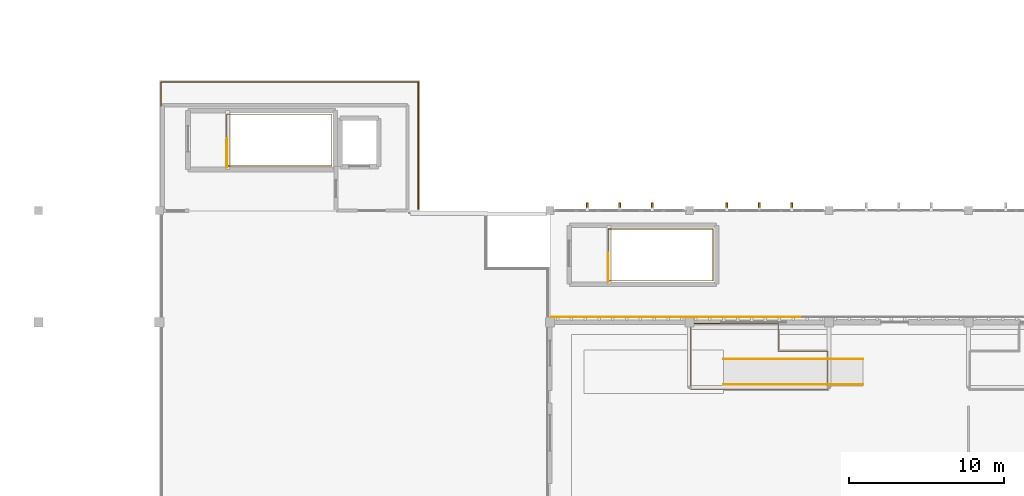
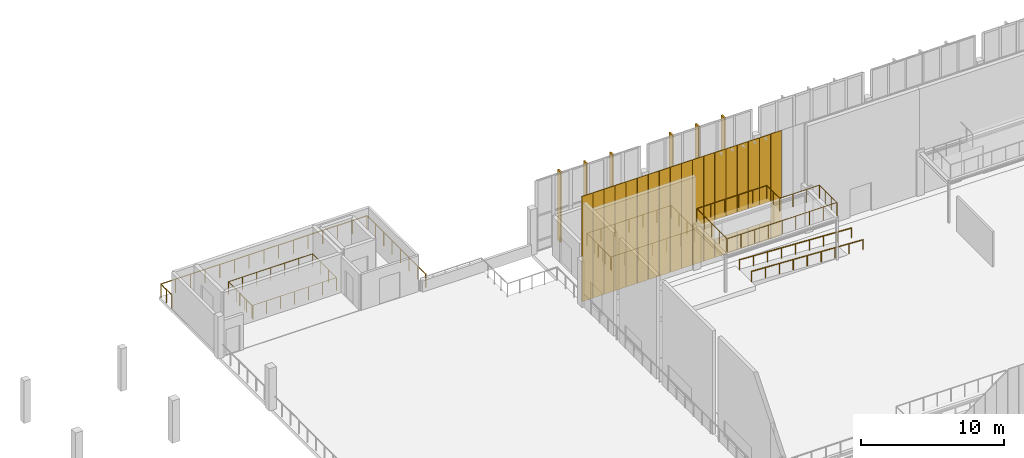
# One storey, part 64 of 67: 29 coverings, 8 railings.
"""IFC4 building model written with IfcOpenShell, lengths in metres."""

import ifcopenshell
import ifcopenshell.guid

model = None  # the IFC model being written
_history = None  # IfcOwnerHistory: only IFC2X3 demands one
_inside = {}  # id of a spatial element -> (the spatial element, [elements in it])
_under = {}  # id of a project, library or spatial element -> (it, [spatial elements below it])
_declared = {}  # id of a project -> (the project, [libraries it declares])
_typed = {}  # id of a type object -> (the type object, [elements of that type])
_made_of = {}  # id of a material, layer set ... -> (it, [elements and type objects made of it])


def new_model(schema):
    """Start an empty IFC model of exactly this schema.

    Asked for "IFC4X3", IfcOpenShell would pick the latest addendum, in which some entities
    have other attributes; the version numbers below select the first issue.
    IFC2X3 requires an IfcOwnerHistory on every rooted entity: one is made here for all.
    """
    global model, _history
    if schema == "IFC4X3":
        model = ifcopenshell.file(schema_version=(4, 3, 0, 0))
    else:
        model = ifcopenshell.file(schema=schema)
    _inside.clear()
    _under.clear()
    _declared.clear()
    _typed.clear()
    _made_of.clear()
    _history = None
    if model.schema == "IFC2X3":
        org = make("IfcOrganization", Name="unknown")
        user = make(
            "IfcPersonAndOrganization",
            ThePerson=make("IfcPerson", FamilyName="unknown"),
            TheOrganization=org,
        )
        app = make(
            "IfcApplication",
            ApplicationDeveloper=org,
            Version="unknown",
            ApplicationFullName="unknown",
            ApplicationIdentifier="unknown",
        )
        _history = make(
            "IfcOwnerHistory",
            OwningUser=user,
            OwningApplication=app,
            ChangeAction="ADDED",
            CreationDate=0,
        )
    return model


def make(cls, **values):
    """One entity of the class cls with the attributes given. An attribute that is None is left unset."""
    return model.create_entity(
        cls, **{name: value for name, value in values.items() if value is not None}
    )


def rooted(cls, **values):
    """An entity with a GlobalId (a new one), such as an element, a storey or a relation."""
    return make(cls, GlobalId=ifcopenshell.guid.new(), OwnerHistory=_history, **values)


def si_unit(unit_type, name, prefix=None):
    """IfcSIUnit, for example si_unit("LENGTHUNIT", "METRE", prefix="MILLI")."""
    return make("IfcSIUnit", UnitType=unit_type, Prefix=prefix, Name=name)


def assignment(units):
    """IfcUnitAssignment: the units of a project."""
    return None if units is None else make("IfcUnitAssignment", Units=units)


def point(xyz):
    """IfcCartesianPoint."""
    return None if xyz is None else make("IfcCartesianPoint", Coordinates=xyz)


def direction(xyz):
    """IfcDirection."""
    return None if xyz is None else make("IfcDirection", DirectionRatios=xyz)


def frame(location, z_axis=None, x_axis=None):
    """IfcAxis2Placement3D, a coordinate frame: its origin and axes. An axis left out is left unset."""
    return make(
        "IfcAxis2Placement3D",
        Location=point(location),
        Axis=direction(z_axis),
        RefDirection=direction(x_axis),
    )


def frame_2d(location, x_axis=None):
    """IfcAxis2Placement2D, a coordinate frame in the plane: its origin and x axis."""
    return make(
        "IfcAxis2Placement2D", Location=point(location), RefDirection=direction(x_axis)
    )


def origin():
    """The frame at (0, 0, 0) with its axes left unset."""
    return frame((0.0, 0.0, 0.0))


def origin_2d():
    """The frame at (0, 0) in the plane with its x axis left unset."""
    return frame_2d((0.0, 0.0))


def place(relative_to, where):
    """IfcLocalPlacement: puts the frame where relative to a parent placement (None: the world)."""
    return make(
        "IfcLocalPlacement", PlacementRelTo=relative_to, RelativePlacement=where
    )


def context(
    kind, dimensions, precision=None, world=None, true_north=None, identifier=None
):
    """IfcGeometricRepresentationContext, for example the 3D "Model" context."""
    return make(
        "IfcGeometricRepresentationContext",
        ContextIdentifier=identifier,
        ContextType=kind,
        CoordinateSpaceDimension=dimensions,
        Precision=precision,
        WorldCoordinateSystem=world,
        TrueNorth=true_north,
    )


def subcontext(parent, identifier, kind, view, scale=None):
    """IfcGeometricRepresentationSubContext, for example "Body" below "Model"."""
    return make(
        "IfcGeometricRepresentationSubContext",
        ContextIdentifier=identifier,
        ContextType=kind,
        ParentContext=parent,
        TargetScale=scale,
        TargetView=view,
    )


def project(units=None, contexts=None):
    """IfcProject with its units and contexts."""
    return rooted(
        "IfcProject",
        Name="project",
        RepresentationContexts=contexts,
        UnitsInContext=assignment(units),
    )


def spatial(cls, under=None, at=None, **own):
    """A site, building, storey or space (cls), placed at a placement, below another one or the project."""
    s = rooted(cls, ObjectPlacement=at, **own)
    if under is not None:
        _under.setdefault(under.id(), (under, []))[1].append(s)
    return s


def profile(cls, at=None, kind="AREA", **sizes):
    """A parametric profile (cls). Its sizes go by their IFC names, for example OverallWidth=200.0."""
    return make(cls, ProfileType=kind, Position=at, **sizes)


def rectangle(**sizes):
    """IfcRectangleProfileDef."""
    return profile("IfcRectangleProfileDef", **sizes)


def circle(**sizes):
    """IfcCircleProfileDef."""
    return profile("IfcCircleProfileDef", **sizes)


def extrude(swept, where, along, depth):
    """IfcExtrudedAreaSolid: the profile swept, set in the frame where, extruded along a direction by depth."""
    return make(
        "IfcExtrudedAreaSolid",
        SweptArea=swept,
        Position=where,
        ExtrudedDirection=direction(along),
        Depth=depth,
    )


def shape(context_of_items, identifier, shape_type, items):
    """IfcShapeRepresentation: the items that make up one representation, for example the "Body"."""
    return make(
        "IfcShapeRepresentation",
        ContextOfItems=context_of_items,
        RepresentationIdentifier=identifier,
        RepresentationType=shape_type,
        Items=items,
    )


def material(Name=None, Category=None):
    """IfcMaterial."""
    return make("IfcMaterial", Name=Name, Category=Category)


def layer(
    of_material, thickness, ventilated=None, Name=None, Category=None, Priority=None
):
    """IfcMaterialLayer: one layer of a wall or slab, of a material (None: an air gap)."""
    return make(
        "IfcMaterialLayer",
        Material=of_material,
        LayerThickness=thickness,
        IsVentilated=ventilated,
        Name=Name,
        Category=Category,
        Priority=Priority,
    )


def layer_set(layers, Name=None):
    """IfcMaterialLayerSet."""
    return make("IfcMaterialLayerSet", MaterialLayers=layers, LayerSetName=Name)


def made_of(thing, what):
    """Note that an element or type object is made of a material, layer set ...; save() writes the relation."""
    if what is not None:
        _made_of.setdefault(what.id(), (what, []))[1].append(thing)
    return thing


def type_object(cls, material=None, **own):
    """A type object (cls), such as IfcWallType, which elements share."""
    return made_of(rooted(cls, **own), material)


def element(
    cls,
    number,
    at=None,
    inside=None,
    cuts=None,
    type_object=None,
    material=None,
    context=None,
    identifier="Body",
    shape_type=None,
    held_by="IfcProductDefinitionShape",
    body=None,
    shapes=None,
    **own,
):
    """One element of the class cls, such as IfcWall. Its Tag is "e" and its number.

    at: its placement. inside: the storey or other place that contains it. cuts: it is an
    opening in that element (IfcRelVoidsElement). A single representation is given by context,
    identifier, shape_type and body (its items); several are given by shapes. held_by: the class
    of the entity that holds the representations. save() writes the other relations.
    """
    e = rooted(cls, Tag="e%d" % number, ObjectPlacement=at, **own)
    if body is not None:
        shapes = [shape(context, identifier, shape_type, body)]
    if shapes is not None:
        e.Representation = make(held_by, Representations=shapes)
    if inside is not None:
        _inside.setdefault(inside.id(), (inside, []))[1].append(e)
    if cuts is not None:
        rooted(
            "IfcRelVoidsElement", RelatingBuildingElement=cuts, RelatedOpeningElement=e
        )
    if type_object is not None:
        _typed.setdefault(type_object.id(), (type_object, []))[1].append(e)
    return made_of(e, material)


def aggregate(whole, parts):
    """IfcRelAggregates: a whole, such as a stair, and the parts it consists of."""
    return rooted("IfcRelAggregates", RelatingObject=whole, RelatedObjects=parts)


def save(model, path):
    """Write the relations noted so far, then the file.

    IfcRelAggregates (storeys below a building ...), IfcRelContainedInSpatialStructure (elements
    in a storey), IfcRelDefinesByType, IfcRelAssociatesMaterial and IfcRelDeclares: one each for
    every whole, place, type object, material and project.
    """
    for whole, parts in _under.values():
        aggregate(whole, parts)
    for where, things in _inside.values():
        rooted(
            "IfcRelContainedInSpatialStructure",
            RelatedElements=things,
            RelatingStructure=where,
        )
    for kind, things in _typed.values():
        rooted("IfcRelDefinesByType", RelatedObjects=things, RelatingType=kind)
    for what, things in _made_of.values():
        rooted("IfcRelAssociatesMaterial", RelatedObjects=things, RelatingMaterial=what)
    for by, libraries in _declared.values():
        rooted("IfcRelDeclares", RelatingContext=by, RelatedDefinitions=libraries)
    model.write(path)


model = new_model("IFC4")

# Units and contexts
model_context = context("Model", 3, precision=1e-05, world=origin(), true_north=direction((0.0, 1.0)))
body_context = subcontext(model_context, "Body", "Model", "MODEL_VIEW")
ifc_project = project(units=[si_unit("LENGTHUNIT", "METRE"), si_unit("AREAUNIT", "SQUARE_METRE"), si_unit("VOLUMEUNIT", "CUBIC_METRE"), si_unit("PLANEANGLEUNIT", "RADIAN"), si_unit("MASSUNIT", "GRAM", prefix="KILO")], contexts=[model_context])

# Site, building, storey
site_placement = place(None, origin())
site = spatial("IfcSite", under=ifc_project, at=site_placement, CompositionType="ELEMENT")
building_placement = place(site_placement, origin())
building = spatial("IfcBuilding", under=site, at=building_placement, Name="Tizgana Railside Sports Hall", CompositionType="ELEMENT")
storey_placement = place(building_placement, frame((0.0, 0.0, 12.0)))
storey = spatial("IfcBuildingStorey", under=building, at=storey_placement, Name="L02", CompositionType="ELEMENT", Elevation=12.0)

# Coverings
ifc_material_1 = material(Name="Glulam GL28h", Category="wood")
ifc_layer_1 = layer(ifc_material_1, 0.139892578125, Name="Glulam GL28h")
ifc_layer_set_1 = layer_set([ifc_layer_1], Name="Glulam GL28h")
covering_type_1 = type_object("IfcCoveringType", Name="Mass-Timber Brise-Soleil & Pergola Fin", PredefinedType="CLADDING", material=ifc_layer_set_1)
for number, where, z_axis, x_axis, name in (
    (1, (82.202392578125, 80.679931640625, 0.0400390625), (0.0, 0.0, 1.0), (1.0, 0.0, 0.0), "L02 Timber Brise-Soleil Fin"),
    (2, (84.300048828125, 80.679931640625, 0.0400390625), (0.0, 0.0, 1.0), (1.0, 0.0, 0.0), "L02 Timber Brise-Soleil Fin"),
    (3, (86.3974609375, 80.679931640625, 0.0400390625), (0.0, 0.0, 1.0), (1.0, 0.0, 0.0), "L02 Timber Brise-Soleil Fin"),
    (4, (91.202392578125, 80.679931640625, 0.0400390625), (0.0, 0.0, 1.0), (1.0, 0.0, 0.0), "L02 Timber Brise-Soleil Fin"),
    (5, (93.300048828125, 80.679931640625, 0.0400390625), (0.0, 0.0, 1.0), (1.0, 0.0, 0.0), "L02 Timber Brise-Soleil Fin"),
    (6, (95.3974609375, 80.679931640625, 0.0400390625), (0.0, 0.0, 1.0), (1.0, 0.0, 0.0), "L02 Timber Brise-Soleil Fin"),
):
    element("IfcCovering", number, at=place(storey_placement, frame(where, z_axis=z_axis, x_axis=x_axis)), inside=storey, type_object=covering_type_1, Name=name, PredefinedType="CLADDING", context=body_context, shape_type="SweptSolid", body=[
        extrude(rectangle(XDim=0.1201171875, YDim=0.43994140625, at=origin_2d()), origin(), (0.0, 0.0, 1.0), 5.97998046875),
    ])
ifc_material_2 = material(Name="Anodised perforated aluminium screen", Category="aluminium")
ifc_layer_2 = layer(ifc_material_2, 0.044921875, Name="Anodised perforated aluminium screen")
ifc_layer_set_2 = layer_set([ifc_layer_2], Name="Anodised perforated aluminium screen")
covering_type_2 = type_object("IfcCoveringType", Name="Perforated Aluminium Hall Screen 900", PredefinedType="CLADDING", material=ifc_layer_set_2)
for number, where, z_axis, x_axis, name in (
    (7, (80.294921875, 73.534912109375, 0.02001953125), (0.0, 0.0, 1.0), (1.0, 0.0, 0.0), "L02 Perforated Screen SCR-0229"),
    (8, (81.18505859375, 73.534912109375, 0.02001953125), (0.0, 0.0, 1.0), (1.0, 0.0, 0.0), "L02 Perforated Screen SCR-0230"),
    (9, (82.074951171875, 73.534912109375, 0.02001953125), (0.0, 0.0, 1.0), (1.0, 0.0, 0.0), "L02 Perforated Screen SCR-0231"),
    (10, (82.965087890625, 73.534912109375, 0.02001953125), (0.0, 0.0, 1.0), (1.0, 0.0, 0.0), "L02 Perforated Screen SCR-0232"),
    (11, (83.85498046875, 73.534912109375, 0.02001953125), (0.0, 0.0, 1.0), (1.0, 0.0, 0.0), "L02 Perforated Screen SCR-0233"),
    (12, (84.7451171875, 73.534912109375, 0.02001953125), (0.0, 0.0, 1.0), (1.0, 0.0, 0.0), "L02 Perforated Screen SCR-0234"),
    (13, (85.635009765625, 73.534912109375, 0.02001953125), (0.0, 0.0, 1.0), (1.0, 0.0, 0.0), "L02 Perforated Screen SCR-0235"),
    (14, (86.52490234375, 73.534912109375, 0.02001953125), (0.0, 0.0, 1.0), (1.0, 0.0, 0.0), "L02 Perforated Screen SCR-0236"),
    (15, (87.4150390625, 73.534912109375, 0.02001953125), (0.0, 0.0, 1.0), (1.0, 0.0, 0.0), "L02 Perforated Screen SCR-0237"),
    (16, (88.304931640625, 73.534912109375, 0.02001953125), (0.0, 0.0, 1.0), (1.0, 0.0, 0.0), "L02 Perforated Screen SCR-0238"),
):
    element("IfcCovering", number, at=place(storey_placement, frame(where, z_axis=z_axis, x_axis=x_axis)), inside=storey, type_object=covering_type_2, Name=name, PredefinedType="CLADDING", context=body_context, shape_type="SweptSolid", body=[
        extrude(rectangle(XDim=0.8720703125, YDim=0.044921875, at=origin_2d()), origin(), (0.0, 0.0, 1.0), 8.9599609375),
    ])
for number, where, z_axis, x_axis, name in (
    (17, (89.20458984375, 73.534912109375, 0.02001953125), (0.0, 0.0, 1.0), (1.0, 0.0, 0.0), "L02 Perforated Screen SCR-0264"),
    (18, (90.104248046875, 73.534912109375, 0.02001953125), (0.0, 0.0, 1.0), (1.0, 0.0, 0.0), "L02 Perforated Screen SCR-0265"),
):
    element("IfcCovering", number, at=place(storey_placement, frame(where, z_axis=z_axis, x_axis=x_axis)), inside=storey, type_object=covering_type_2, Name=name, PredefinedType="CLADDING", context=body_context, shape_type="SweptSolid", body=[
        extrude(rectangle(XDim=0.881591796875, YDim=0.044921875, at=origin_2d()), origin(), (0.0, 0.0, 1.0), 8.9599609375),
    ])
covering_1_placement = place(storey_placement, frame((91.003662109375, 73.534912109375, 0.030029296875), z_axis=(0.0, 0.0, 1.0), x_axis=(1.0, 0.0, 0.0)))
element("IfcCovering", 19, at=covering_1_placement, inside=storey, type_object=covering_type_2, Name="L02 Perforated Spandrel SCR-0266", PredefinedType="CLADDING", context=body_context, shape_type="SweptSolid", body=[
    extrude(rectangle(XDim=0.881591796875, YDim=0.044921875, at=origin_2d()), origin(), (0.0, 0.0, 1.0), 1.5849609375),
])
covering_2_placement = place(storey_placement, frame((91.003662109375, 73.534912109375, 3.23486328125), z_axis=(0.0, 0.0, 1.0), x_axis=(1.0, 0.0, 0.0)))
element("IfcCovering", 20, at=covering_2_placement, inside=storey, type_object=covering_type_2, Name="L02 Perforated Header SCR-0267", PredefinedType="CLADDING", context=body_context, shape_type="SweptSolid", body=[
    extrude(rectangle(XDim=0.881591796875, YDim=0.044921875, at=origin_2d()), origin(), (0.0, 0.0, 1.0), 5.735107421875),
])
covering_3_placement = place(storey_placement, frame((91.9033203125, 73.534912109375, 0.030029296875), z_axis=(0.0, 0.0, 1.0), x_axis=(1.0, 0.0, 0.0)))
element("IfcCovering", 21, at=covering_3_placement, inside=storey, type_object=covering_type_2, Name="L02 Perforated Spandrel SCR-0268", PredefinedType="CLADDING", context=body_context, shape_type="SweptSolid", body=[
    extrude(rectangle(XDim=0.881591796875, YDim=0.044921875, at=origin_2d()), origin(), (0.0, 0.0, 1.0), 1.5849609375),
])
covering_4_placement = place(storey_placement, frame((91.9033203125, 73.534912109375, 3.23486328125), z_axis=(0.0, 0.0, 1.0), x_axis=(1.0, 0.0, 0.0)))
element("IfcCovering", 22, at=covering_4_placement, inside=storey, type_object=covering_type_2, Name="L02 Perforated Header SCR-0269", PredefinedType="CLADDING", context=body_context, shape_type="SweptSolid", body=[
    extrude(rectangle(XDim=0.881591796875, YDim=0.044921875, at=origin_2d()), origin(), (0.0, 0.0, 1.0), 5.735107421875),
])
covering_5_placement = place(storey_placement, frame((92.802734375, 73.534912109375, 0.030029296875), z_axis=(0.0, 0.0, 1.0), x_axis=(1.0, 0.0, 0.0)))
element("IfcCovering", 23, at=covering_5_placement, inside=storey, type_object=covering_type_2, Name="L02 Perforated Spandrel SCR-0270", PredefinedType="CLADDING", context=body_context, shape_type="SweptSolid", body=[
    extrude(rectangle(XDim=0.881591796875, YDim=0.044921875, at=origin_2d()), origin(), (0.0, 0.0, 1.0), 1.5849609375),
])
covering_6_placement = place(storey_placement, frame((92.802734375, 73.534912109375, 3.23486328125), z_axis=(0.0, 0.0, 1.0), x_axis=(1.0, 0.0, 0.0)))
element("IfcCovering", 24, at=covering_6_placement, inside=storey, type_object=covering_type_2, Name="L02 Perforated Header SCR-0271", PredefinedType="CLADDING", context=body_context, shape_type="SweptSolid", body=[
    extrude(rectangle(XDim=0.881591796875, YDim=0.044921875, at=origin_2d()), origin(), (0.0, 0.0, 1.0), 5.735107421875),
])
covering_7_placement = place(storey_placement, frame((93.7021484375, 73.534912109375, 0.030029296875), z_axis=(0.0, 0.0, 1.0), x_axis=(1.0, 0.0, 0.0)))
element("IfcCovering", 25, at=covering_7_placement, inside=storey, type_object=covering_type_2, Name="L02 Perforated Spandrel SCR-0272", PredefinedType="CLADDING", context=body_context, shape_type="SweptSolid", body=[
    extrude(rectangle(XDim=0.881591796875, YDim=0.044921875, at=origin_2d()), origin(), (0.0, 0.0, 1.0), 1.5849609375),
])
covering_8_placement = place(storey_placement, frame((93.7021484375, 73.534912109375, 3.23486328125), z_axis=(0.0, 0.0, 1.0), x_axis=(1.0, 0.0, 0.0)))
element("IfcCovering", 26, at=covering_8_placement, inside=storey, type_object=covering_type_2, Name="L02 Perforated Header SCR-0273", PredefinedType="CLADDING", context=body_context, shape_type="SweptSolid", body=[
    extrude(rectangle(XDim=0.881591796875, YDim=0.044921875, at=origin_2d()), origin(), (0.0, 0.0, 1.0), 5.735107421875),
])
covering_9_placement = place(storey_placement, frame((94.601806640625, 73.534912109375, 0.030029296875), z_axis=(0.0, 0.0, 1.0), x_axis=(1.0, 0.0, 0.0)))
element("IfcCovering", 27, at=covering_9_placement, inside=storey, type_object=covering_type_2, Name="L02 Perforated Spandrel SCR-0274", PredefinedType="CLADDING", context=body_context, shape_type="SweptSolid", body=[
    extrude(rectangle(XDim=0.881591796875, YDim=0.044921875, at=origin_2d()), origin(), (0.0, 0.0, 1.0), 1.5849609375),
])
covering_10_placement = place(storey_placement, frame((94.601806640625, 73.534912109375, 3.23486328125), z_axis=(0.0, 0.0, 1.0), x_axis=(1.0, 0.0, 0.0)))
element("IfcCovering", 28, at=covering_10_placement, inside=storey, type_object=covering_type_2, Name="L02 Perforated Header SCR-0275", PredefinedType="CLADDING", context=body_context, shape_type="SweptSolid", body=[
    extrude(rectangle(XDim=0.881591796875, YDim=0.044921875, at=origin_2d()), origin(), (0.0, 0.0, 1.0), 5.735107421875),
])
covering_11_placement = place(storey_placement, frame((95.501220703125, 73.534912109375, 0.02001953125), z_axis=(0.0, 0.0, 1.0), x_axis=(1.0, 0.0, 0.0)))
element("IfcCovering", 29, at=covering_11_placement, inside=storey, type_object=covering_type_2, Name="L02 Perforated Screen SCR-0276", PredefinedType="CLADDING", context=body_context, shape_type="SweptSolid", body=[
    extrude(rectangle(XDim=0.881591796875, YDim=0.044921875, at=origin_2d()), origin(), (0.0, 0.0, 1.0), 8.9599609375),
])

# Railings
ifc_material_3 = material(Name="Galvanised steel sheet", Category="steel")
railing_type_1 = type_object("IfcRailingType", Name="Safety Balustrade Guard 1100", PredefinedType="BALUSTRADE", material=ifc_material_3)
railing_1_placement = place(storey_placement, frame((58.949951171875, 83.199951171875, 0.0)))
element("IfcRailing", 30, at=railing_1_placement, inside=storey, type_object=railing_type_1, Name="L02 ST-04 top well guard 1", PredefinedType="BALUSTRADE", context=body_context, shape_type="SweptSolid", body=[
    extrude(circle(Radius=0.02392578125, at=origin_2d()), frame((0.0, 0.0, 1.076171875), z_axis=(0.0, 1.0, 0.0), x_axis=(-1.0, 0.0, 0.0)), (0.0, 0.0, 1.0), 1.85009765625),
    extrude(circle(Radius=0.02099609375, at=origin_2d()), origin(), (0.0, 0.0, 1.0), 1.052001953125),
    extrude(circle(Radius=0.02099609375, at=origin_2d()), frame((0.0, 0.925048828125, 0.0)), (0.0, 0.0, 1.0), 1.052001953125),
    extrude(circle(Radius=0.02099609375, at=origin_2d()), frame((0.0, 1.85009765625, 0.0)), (0.0, 0.0, 1.0), 1.052001953125),
])
railing_2_placement = place(storey_placement, frame((58.949951171875, 83.280029296875, 0.0)))
element("IfcRailing", 31, at=railing_2_placement, inside=storey, type_object=railing_type_1, Name="L02 ST-04 Well Guard", PredefinedType="BALUSTRADE", context=body_context, shape_type="SweptSolid", body=[
    extrude(circle(Radius=0.02392578125, at=origin_2d()), frame((0.0, 0.0, 1.09619140625), z_axis=(1.0, 0.0, 0.0), x_axis=(0.0, 1.0, 0.0)), (0.0, 0.0, 1.0), 6.77001953125),
    extrude(circle(Radius=0.02392578125, at=origin_2d()), frame((6.77001953125, 0.0, 1.09619140625), z_axis=(0.0, 1.0, 0.0), x_axis=(-1.0, 0.0, 0.0)), (0.0, 0.0, 1.0), 3.340087890625),
    extrude(circle(Radius=0.02392578125, at=origin_2d()), frame((6.77001953125, 3.340087890625, 1.09619140625), z_axis=(-1.0, 0.0, 0.0), x_axis=(0.0, -1.0, 0.0)), (0.0, 0.0, 1.0), 6.77001953125),
    extrude(circle(Radius=0.02392578125, at=origin_2d()), frame((0.0, 3.340087890625, 1.09619140625), z_axis=(0.0, -1.0, 0.0), x_axis=(1.0, 0.0, 0.0)), (0.0, 0.0, 1.0), 3.280029296875),
    extrude(circle(Radius=0.02099609375, at=origin_2d()), origin(), (0.0, 0.0, 1.0), 1.072021484375),
    extrude(circle(Radius=0.02099609375, at=origin_2d()), frame((1.12841796875, 0.0, 0.0)), (0.0, 0.0, 1.0), 1.072021484375),
    extrude(circle(Radius=0.02099609375, at=origin_2d()), frame((2.256591796875, 0.0, 0.0)), (0.0, 0.0, 1.0), 1.072021484375),
    extrude(circle(Radius=0.02099609375, at=origin_2d()), frame((3.385009765625, 0.0, 0.0)), (0.0, 0.0, 1.0), 1.072021484375),
    extrude(circle(Radius=0.02099609375, at=origin_2d()), frame((4.513427734375, 0.0, 0.0)), (0.0, 0.0, 1.0), 1.072021484375),
    extrude(circle(Radius=0.02099609375, at=origin_2d()), frame((5.6416015625, 0.0, 0.0)), (0.0, 0.0, 1.0), 1.072021484375),
    extrude(circle(Radius=0.02099609375, at=origin_2d()), frame((6.77001953125, 0.0, 0.0)), (0.0, 0.0, 1.0), 1.072021484375),
    extrude(circle(Radius=0.02099609375, at=origin_2d()), frame((6.77001953125, 1.11328125, 0.0)), (0.0, 0.0, 1.0), 1.072021484375),
    extrude(circle(Radius=0.02099609375, at=origin_2d()), frame((6.77001953125, 2.226806640625, 0.0)), (0.0, 0.0, 1.0), 1.072021484375),
    extrude(circle(Radius=0.02099609375, at=origin_2d()), frame((6.77001953125, 3.340087890625, 0.0)), (0.0, 0.0, 1.0), 1.072021484375),
    extrude(circle(Radius=0.02099609375, at=origin_2d()), frame((5.6416015625, 3.340087890625, 0.0)), (0.0, 0.0, 1.0), 1.072021484375),
    extrude(circle(Radius=0.02099609375, at=origin_2d()), frame((4.513427734375, 3.340087890625, 0.0)), (0.0, 0.0, 1.0), 1.072021484375),
    extrude(circle(Radius=0.02099609375, at=origin_2d()), frame((3.385009765625, 3.340087890625, 0.0)), (0.0, 0.0, 1.0), 1.072021484375),
    extrude(circle(Radius=0.02099609375, at=origin_2d()), frame((2.256591796875, 3.340087890625, 0.0)), (0.0, 0.0, 1.0), 1.072021484375),
    extrude(circle(Radius=0.02099609375, at=origin_2d()), frame((1.12841796875, 3.340087890625, 0.0)), (0.0, 0.0, 1.0), 1.072021484375),
    extrude(circle(Radius=0.02099609375, at=origin_2d()), frame((0.0, 3.340087890625, 0.0)), (0.0, 0.0, 1.0), 1.072021484375),
    extrude(circle(Radius=0.02099609375, at=origin_2d()), frame((0.0, 2.246826171875, 0.0)), (0.0, 0.0, 1.0), 1.072021484375),
    extrude(circle(Radius=0.02099609375, at=origin_2d()), frame((0.0, 1.1533203125, 0.0)), (0.0, 0.0, 1.0), 1.072021484375),
    extrude(circle(Radius=0.02099609375, at=origin_2d()), frame((0.0, 0.06005859375, 0.0)), (0.0, 0.0, 1.0), 1.072021484375),
])
railing_3_placement = place(storey_placement, frame((83.550048828125, 75.800048828125, 0.0)))
element("IfcRailing", 32, at=railing_3_placement, inside=storey, type_object=railing_type_1, Name="L02 ST-08 top well guard 1", PredefinedType="BALUSTRADE", context=body_context, shape_type="SweptSolid", body=[
    extrude(circle(Radius=0.02392578125, at=origin_2d()), frame((0.0, 0.0, 1.076171875), z_axis=(0.0, 1.0, 0.0), x_axis=(-1.0, 0.0, 0.0)), (0.0, 0.0, 1.0), 1.849853515625),
    extrude(circle(Radius=0.02099609375, at=origin_2d()), origin(), (0.0, 0.0, 1.0), 1.052001953125),
    extrude(circle(Radius=0.02099609375, at=origin_2d()), frame((0.0, 0.9248046875, 0.0)), (0.0, 0.0, 1.0), 1.052001953125),
    extrude(circle(Radius=0.02099609375, at=origin_2d()), frame((0.0, 1.849853515625, 0.0)), (0.0, 0.0, 1.0), 1.052001953125),
])
railing_4_placement = place(storey_placement, frame((83.550048828125, 75.8798828125, 0.0)))
element("IfcRailing", 33, at=railing_4_placement, inside=storey, type_object=railing_type_1, Name="L02 ST-08 Well Guard", PredefinedType="BALUSTRADE", context=body_context, shape_type="SweptSolid", body=[
    extrude(circle(Radius=0.02392578125, at=origin_2d()), frame((0.0, 0.0, 1.09619140625), z_axis=(1.0, 0.0, 0.0), x_axis=(0.0, 1.0, 0.0)), (0.0, 0.0, 1.0), 6.77001953125),
    extrude(circle(Radius=0.02392578125, at=origin_2d()), frame((6.77001953125, 0.0, 1.09619140625), z_axis=(0.0, 1.0, 0.0), x_axis=(-1.0, 0.0, 0.0)), (0.0, 0.0, 1.0), 3.340087890625),
    extrude(circle(Radius=0.02392578125, at=origin_2d()), frame((6.77001953125, 3.340087890625, 1.09619140625), z_axis=(-1.0, 0.0, 0.0), x_axis=(0.0, -1.0, 0.0)), (0.0, 0.0, 1.0), 6.77001953125),
    extrude(circle(Radius=0.02392578125, at=origin_2d()), frame((0.0, 3.340087890625, 1.09619140625), z_axis=(0.0, -1.0, 0.0), x_axis=(1.0, 0.0, 0.0)), (0.0, 0.0, 1.0), 3.280029296875),
    extrude(circle(Radius=0.02099609375, at=origin_2d()), origin(), (0.0, 0.0, 1.0), 1.072021484375),
    extrude(circle(Radius=0.02099609375, at=origin_2d()), frame((1.12841796875, 0.0, 0.0)), (0.0, 0.0, 1.0), 1.072021484375),
    extrude(circle(Radius=0.02099609375, at=origin_2d()), frame((2.256591796875, 0.0, 0.0)), (0.0, 0.0, 1.0), 1.072021484375),
    extrude(circle(Radius=0.02099609375, at=origin_2d()), frame((3.385009765625, 0.0, 0.0)), (0.0, 0.0, 1.0), 1.072021484375),
    extrude(circle(Radius=0.02099609375, at=origin_2d()), frame((4.513427734375, 0.0, 0.0)), (0.0, 0.0, 1.0), 1.072021484375),
    extrude(circle(Radius=0.02099609375, at=origin_2d()), frame((5.6416015625, 0.0, 0.0)), (0.0, 0.0, 1.0), 1.072021484375),
    extrude(circle(Radius=0.02099609375, at=origin_2d()), frame((6.77001953125, 0.0, 0.0)), (0.0, 0.0, 1.0), 1.072021484375),
    extrude(circle(Radius=0.02099609375, at=origin_2d()), frame((6.77001953125, 1.11328125, 0.0)), (0.0, 0.0, 1.0), 1.072021484375),
    extrude(circle(Radius=0.02099609375, at=origin_2d()), frame((6.77001953125, 2.226806640625, 0.0)), (0.0, 0.0, 1.0), 1.072021484375),
    extrude(circle(Radius=0.02099609375, at=origin_2d()), frame((6.77001953125, 3.340087890625, 0.0)), (0.0, 0.0, 1.0), 1.072021484375),
    extrude(circle(Radius=0.02099609375, at=origin_2d()), frame((5.6416015625, 3.340087890625, 0.0)), (0.0, 0.0, 1.0), 1.072021484375),
    extrude(circle(Radius=0.02099609375, at=origin_2d()), frame((4.513427734375, 3.340087890625, 0.0)), (0.0, 0.0, 1.0), 1.072021484375),
    extrude(circle(Radius=0.02099609375, at=origin_2d()), frame((3.385009765625, 3.340087890625, 0.0)), (0.0, 0.0, 1.0), 1.072021484375),
    extrude(circle(Radius=0.02099609375, at=origin_2d()), frame((2.256591796875, 3.340087890625, 0.0)), (0.0, 0.0, 1.0), 1.072021484375),
    extrude(circle(Radius=0.02099609375, at=origin_2d()), frame((1.12841796875, 3.340087890625, 0.0)), (0.0, 0.0, 1.0), 1.072021484375),
    extrude(circle(Radius=0.02099609375, at=origin_2d()), frame((0.0, 3.340087890625, 0.0)), (0.0, 0.0, 1.0), 1.072021484375),
    extrude(circle(Radius=0.02099609375, at=origin_2d()), frame((0.0, 2.246826171875, 0.0)), (0.0, 0.0, 1.0), 1.072021484375),
    extrude(circle(Radius=0.02099609375, at=origin_2d()), frame((0.0, 1.1533203125, 0.0)), (0.0, 0.0, 1.0), 1.072021484375),
    extrude(circle(Radius=0.02099609375, at=origin_2d()), frame((0.0, 0.06005859375, 0.0)), (0.0, 0.0, 1.0), 1.072021484375),
])
ifc_material_4 = material(Name="Brushed stainless steel", Category="steel")
railing_type_2 = type_object("IfcRailingType", Name="Stair & Ramp Wall Handrail 900", PredefinedType="HANDRAIL", material=ifc_material_4)
for number, where, name in (
    (34, (100.0, 69.179931640625, 0.0), "L02 Ramp Handrail RHR-0005"),
    (35, (100.0, 70.820068359375, 0.0), "L02 Ramp Handrail RHR-0006"),
):
    element("IfcRailing", number, at=place(storey_placement, frame(where)), inside=storey, type_object=railing_type_2, Name=name, PredefinedType="HANDRAIL", context=body_context, shape_type="SweptSolid", body=[
        extrude(circle(Radius=0.02392578125, at=origin_2d()), frame((0.0, 0.0, 0.8759765625), z_axis=(-0.998752609117, 0.0, 0.049932211876), x_axis=(0.0, -1.0, 0.0)), (0.0, 0.0, 1.0), 9.01123046875),
        extrude(circle(Radius=0.02099609375, at=origin_2d()), origin(), (0.0, 0.0, 1.0), 0.851806640625),
        extrude(circle(Radius=0.02099609375, at=origin_2d()), frame((-1.125, 0.0, 0.05615234375)), (0.0, 0.0, 1.0), 0.851806640625),
        extrude(circle(Radius=0.02099609375, at=origin_2d()), frame((-2.25, 0.0, 0.112548828125)), (0.0, 0.0, 1.0), 0.851806640625),
        extrude(circle(Radius=0.02099609375, at=origin_2d()), frame((-3.375, 0.0, 0.168701171875)), (0.0, 0.0, 1.0), 0.851806640625),
        extrude(circle(Radius=0.02099609375, at=origin_2d()), frame((-4.5, 0.0, 0.22509765625)), (0.0, 0.0, 1.0), 0.851806640625),
        extrude(circle(Radius=0.02099609375, at=origin_2d()), frame((-5.625, 0.0, 0.28125)), (0.0, 0.0, 1.0), 0.851806640625),
        extrude(circle(Radius=0.02099609375, at=origin_2d()), frame((-6.75, 0.0, 0.33740234375)), (0.0, 0.0, 1.0), 0.851806640625),
        extrude(circle(Radius=0.02099609375, at=origin_2d()), frame((-7.875, 0.0, 0.393798828125)), (0.0, 0.0, 1.0), 0.851806640625),
        extrude(circle(Radius=0.02099609375, at=origin_2d()), frame((-9.0, 0.0, 0.449951171875)), (0.0, 0.0, 1.0), 0.851806640625),
    ])
ifc_material_5 = material(Name="Anodised aluminium", Category="aluminium")
railing_type_3 = type_object("IfcRailingType", Name="Terrace & Track Guard 1150", PredefinedType="BALUSTRADE", material=ifc_material_5)
railing_5_placement = place(storey_placement, frame((88.8798828125, 68.8798828125, 3.89990234375)))
element("IfcRailing", 36, at=railing_5_placement, inside=storey, type_object=railing_type_3, Name="L02 V2 Court3 Catwalk NW Guard", PredefinedType="BALUSTRADE", context=body_context, shape_type="SweptSolid", body=[
    extrude(circle(Radius=0.02392578125, at=origin_2d()), frame((0.0, 0.0, 1.1259765625), z_axis=(1.0, 0.0, 0.0), x_axis=(0.0, 1.0, 0.0)), (0.0, 0.0, 1.0), 8.840087890625),
    extrude(circle(Radius=0.02392578125, at=origin_2d()), frame((8.840087890625, 0.0, 1.1259765625), z_axis=(0.0, 1.0, 0.0), x_axis=(-1.0, 0.0, 0.0)), (0.0, 0.0, 1.0), 2.440185546875),
    extrude(circle(Radius=0.02392578125, at=origin_2d()), frame((8.840087890625, 2.440185546875, 1.1259765625), z_axis=(-1.0, 0.0, 0.0), x_axis=(0.0, -1.0, 0.0)), (0.0, 0.0, 1.0), 3.199951171875),
    extrude(circle(Radius=0.02392578125, at=origin_2d()), frame((5.64013671875, 2.440185546875, 1.1259765625), z_axis=(0.0, 1.0, 0.0), x_axis=(-1.0, 0.0, 0.0)), (0.0, 0.0, 1.0), 1.800048828125),
    extrude(circle(Radius=0.02392578125, at=origin_2d()), frame((5.64013671875, 4.240234375, 1.1259765625), z_axis=(-1.0, 0.0, 0.0), x_axis=(0.0, -1.0, 0.0)), (0.0, 0.0, 1.0), 5.64013671875),
    extrude(circle(Radius=0.02392578125, at=origin_2d()), frame((0.0, 4.240234375, 1.1259765625), z_axis=(0.0, -1.0, 0.0), x_axis=(1.0, 0.0, 0.0)), (0.0, 0.0, 1.0), 4.16015625),
    extrude(circle(Radius=0.02099609375, at=origin_2d()), origin(), (0.0, 0.0, 1.0), 1.101806640625),
    extrude(circle(Radius=0.02099609375, at=origin_2d()), frame((1.10498046875, 0.0, 0.0)), (0.0, 0.0, 1.0), 1.101806640625),
    extrude(circle(Radius=0.02099609375, at=origin_2d()), frame((2.2099609375, 0.0, 0.0)), (0.0, 0.0, 1.0), 1.101806640625),
    extrude(circle(Radius=0.02099609375, at=origin_2d()), frame((3.31494140625, 0.0, 0.0)), (0.0, 0.0, 1.0), 1.101806640625),
    extrude(circle(Radius=0.02099609375, at=origin_2d()), frame((4.419921875, 0.0, 0.0)), (0.0, 0.0, 1.0), 1.101806640625),
    extrude(circle(Radius=0.02099609375, at=origin_2d()), frame((5.525146484375, 0.0, 0.0)), (0.0, 0.0, 1.0), 1.101806640625),
    extrude(circle(Radius=0.02099609375, at=origin_2d()), frame((6.630126953125, 0.0, 0.0)), (0.0, 0.0, 1.0), 1.101806640625),
    extrude(circle(Radius=0.02099609375, at=origin_2d()), frame((7.735107421875, 0.0, 0.0)), (0.0, 0.0, 1.0), 1.101806640625),
    extrude(circle(Radius=0.02099609375, at=origin_2d()), frame((8.840087890625, 0.0, 0.0)), (0.0, 0.0, 1.0), 1.101806640625),
    extrude(circle(Radius=0.02099609375, at=origin_2d()), frame((8.840087890625, 0.8134765625, 0.0)), (0.0, 0.0, 1.0), 1.101806640625),
    extrude(circle(Radius=0.02099609375, at=origin_2d()), frame((8.840087890625, 1.626708984375, 0.0)), (0.0, 0.0, 1.0), 1.101806640625),
    extrude(circle(Radius=0.02099609375, at=origin_2d()), frame((8.840087890625, 2.440185546875, 0.0)), (0.0, 0.0, 1.0), 1.101806640625),
    extrude(circle(Radius=0.02099609375, at=origin_2d()), frame((7.7734375, 2.440185546875, 0.0)), (0.0, 0.0, 1.0), 1.101806640625),
    extrude(circle(Radius=0.02099609375, at=origin_2d()), frame((6.706787109375, 2.440185546875, 0.0)), (0.0, 0.0, 1.0), 1.101806640625),
    extrude(circle(Radius=0.02099609375, at=origin_2d()), frame((5.64013671875, 2.440185546875, 0.0)), (0.0, 0.0, 1.0), 1.101806640625),
    extrude(circle(Radius=0.02099609375, at=origin_2d()), frame((5.64013671875, 3.34033203125, 0.0)), (0.0, 0.0, 1.0), 1.101806640625),
    extrude(circle(Radius=0.02099609375, at=origin_2d()), frame((5.64013671875, 4.240234375, 0.0)), (0.0, 0.0, 1.0), 1.101806640625),
    extrude(circle(Radius=0.02099609375, at=origin_2d()), frame((4.51220703125, 4.240234375, 0.0)), (0.0, 0.0, 1.0), 1.101806640625),
    extrude(circle(Radius=0.02099609375, at=origin_2d()), frame((3.384033203125, 4.240234375, 0.0)), (0.0, 0.0, 1.0), 1.101806640625),
    extrude(circle(Radius=0.02099609375, at=origin_2d()), frame((2.256103515625, 4.240234375, 0.0)), (0.0, 0.0, 1.0), 1.101806640625),
    extrude(circle(Radius=0.02099609375, at=origin_2d()), frame((1.1279296875, 4.240234375, 0.0)), (0.0, 0.0, 1.0), 1.101806640625),
    extrude(circle(Radius=0.02099609375, at=origin_2d()), frame((0.0, 4.240234375, 0.0)), (0.0, 0.0, 1.0), 1.101806640625),
    extrude(circle(Radius=0.02099609375, at=origin_2d()), frame((0.0, 3.2001953125, 0.0)), (0.0, 0.0, 1.0), 1.101806640625),
    extrude(circle(Radius=0.02099609375, at=origin_2d()), frame((0.0, 2.16015625, 0.0)), (0.0, 0.0, 1.0), 1.101806640625),
    extrude(circle(Radius=0.02099609375, at=origin_2d()), frame((0.0, 1.1201171875, 0.0)), (0.0, 0.0, 1.0), 1.101806640625),
    extrude(circle(Radius=0.02099609375, at=origin_2d()), frame((0.0, 0.080078125, 0.0)), (0.0, 0.0, 1.0), 1.101806640625),
])
railing_6_placement = place(storey_placement, frame((71.300048828125, 80.5, 0.0)))
element("IfcRailing", 37, at=railing_6_placement, inside=storey, type_object=railing_type_3, Name="L02 Safety Guard GRD-0006", PredefinedType="BALUSTRADE", context=body_context, shape_type="SweptSolid", body=[
    extrude(circle(Radius=0.02392578125, at=origin_2d()), frame((0.0, 0.0, 1.1259765625), z_axis=(0.0, 1.0, 0.0), x_axis=(-1.0, 0.0, 0.0)), (0.0, 0.0, 1.0), 8.199951171875),
    extrude(circle(Radius=0.02392578125, at=origin_2d()), frame((0.0, 8.199951171875, 1.1259765625), z_axis=(-1.0, 0.0, 0.0), x_axis=(0.0, -1.0, 0.0)), (0.0, 0.0, 1.0), 16.60009765625),
    extrude(circle(Radius=0.02392578125, at=origin_2d()), frame((-16.60009765625, 8.199951171875, 1.1259765625), z_axis=(0.0, -1.0, 0.0), x_axis=(1.0, 0.0, 0.0)), (0.0, 0.0, 1.0), 1.550048828125),
    extrude(circle(Radius=0.02099609375, at=origin_2d()), origin(), (0.0, 0.0, 1.0), 1.101806640625),
    extrude(circle(Radius=0.02099609375, at=origin_2d()), frame((0.0, 1.17138671875, 0.0)), (0.0, 0.0, 1.0), 1.101806640625),
    extrude(circle(Radius=0.02099609375, at=origin_2d()), frame((0.0, 2.3427734375, 0.0)), (0.0, 0.0, 1.0), 1.101806640625),
    extrude(circle(Radius=0.02099609375, at=origin_2d()), frame((0.0, 3.51416015625, 0.0)), (0.0, 0.0, 1.0), 1.101806640625),
    extrude(circle(Radius=0.02099609375, at=origin_2d()), frame((0.0, 4.685791015625, 0.0)), (0.0, 0.0, 1.0), 1.101806640625),
    extrude(circle(Radius=0.02099609375, at=origin_2d()), frame((0.0, 5.857177734375, 0.0)), (0.0, 0.0, 1.0), 1.101806640625),
    extrude(circle(Radius=0.02099609375, at=origin_2d()), frame((0.0, 7.028564453125, 0.0)), (0.0, 0.0, 1.0), 1.101806640625),
    extrude(circle(Radius=0.02099609375, at=origin_2d()), frame((0.0, 8.199951171875, 0.0)), (0.0, 0.0, 1.0), 1.101806640625),
    extrude(circle(Radius=0.02099609375, at=origin_2d()), frame((-1.185791015625, 8.199951171875, 0.0)), (0.0, 0.0, 1.0), 1.101806640625),
    extrude(circle(Radius=0.02099609375, at=origin_2d()), frame((-2.371337890625, 8.199951171875, 0.0)), (0.0, 0.0, 1.0), 1.101806640625),
    extrude(circle(Radius=0.02099609375, at=origin_2d()), frame((-3.55712890625, 8.199951171875, 0.0)), (0.0, 0.0, 1.0), 1.101806640625),
    extrude(circle(Radius=0.02099609375, at=origin_2d()), frame((-4.742919921875, 8.199951171875, 0.0)), (0.0, 0.0, 1.0), 1.101806640625),
    extrude(circle(Radius=0.02099609375, at=origin_2d()), frame((-5.9287109375, 8.199951171875, 0.0)), (0.0, 0.0, 1.0), 1.101806640625),
    extrude(circle(Radius=0.02099609375, at=origin_2d()), frame((-7.1142578125, 8.199951171875, 0.0)), (0.0, 0.0, 1.0), 1.101806640625),
    extrude(circle(Radius=0.02099609375, at=origin_2d()), frame((-8.300048828125, 8.199951171875, 0.0)), (0.0, 0.0, 1.0), 1.101806640625),
    extrude(circle(Radius=0.02099609375, at=origin_2d()), frame((-9.48583984375, 8.199951171875, 0.0)), (0.0, 0.0, 1.0), 1.101806640625),
    extrude(circle(Radius=0.02099609375, at=origin_2d()), frame((-10.67138671875, 8.199951171875, 0.0)), (0.0, 0.0, 1.0), 1.101806640625),
    extrude(circle(Radius=0.02099609375, at=origin_2d()), frame((-11.857177734375, 8.199951171875, 0.0)), (0.0, 0.0, 1.0), 1.101806640625),
    extrude(circle(Radius=0.02099609375, at=origin_2d()), frame((-13.04296875, 8.199951171875, 0.0)), (0.0, 0.0, 1.0), 1.101806640625),
    extrude(circle(Radius=0.02099609375, at=origin_2d()), frame((-14.228759765625, 8.199951171875, 0.0)), (0.0, 0.0, 1.0), 1.101806640625),
    extrude(circle(Radius=0.02099609375, at=origin_2d()), frame((-15.414306640625, 8.199951171875, 0.0)), (0.0, 0.0, 1.0), 1.101806640625),
    extrude(circle(Radius=0.02099609375, at=origin_2d()), frame((-16.60009765625, 8.199951171875, 0.0)), (0.0, 0.0, 1.0), 1.101806640625),
    extrude(circle(Radius=0.02099609375, at=origin_2d()), frame((-16.60009765625, 7.4248046875, 0.0)), (0.0, 0.0, 1.0), 1.101806640625),
    extrude(circle(Radius=0.02099609375, at=origin_2d()), frame((-16.60009765625, 6.64990234375, 0.0)), (0.0, 0.0, 1.0), 1.101806640625),
])

save(model, "model.ifc")
